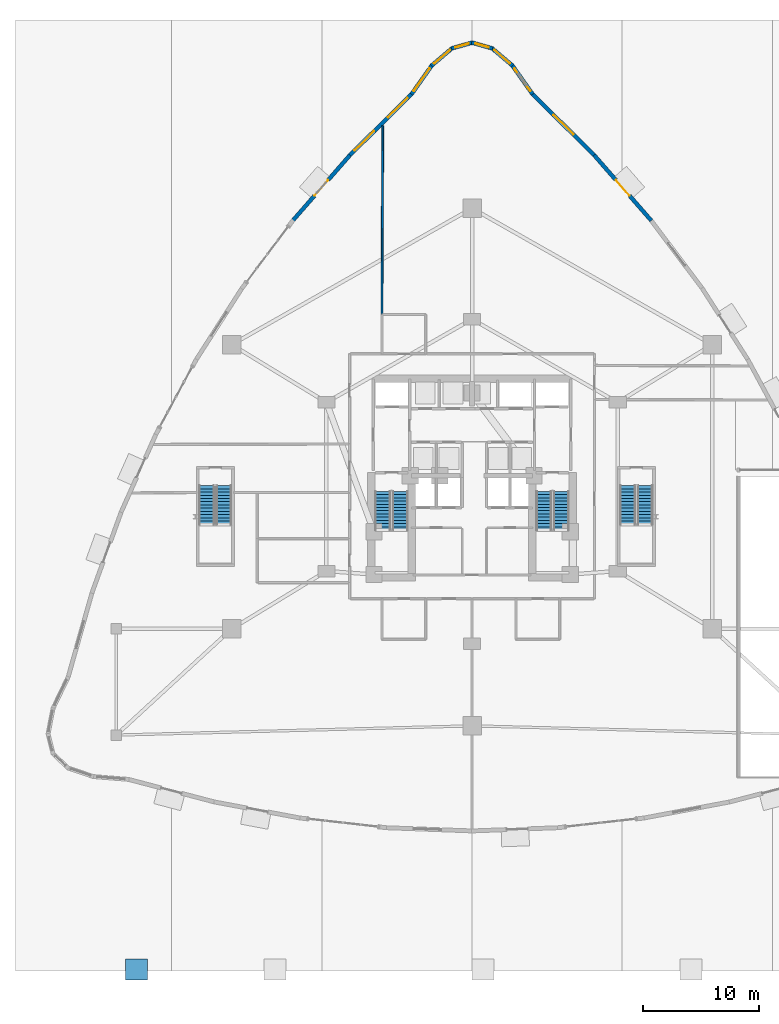
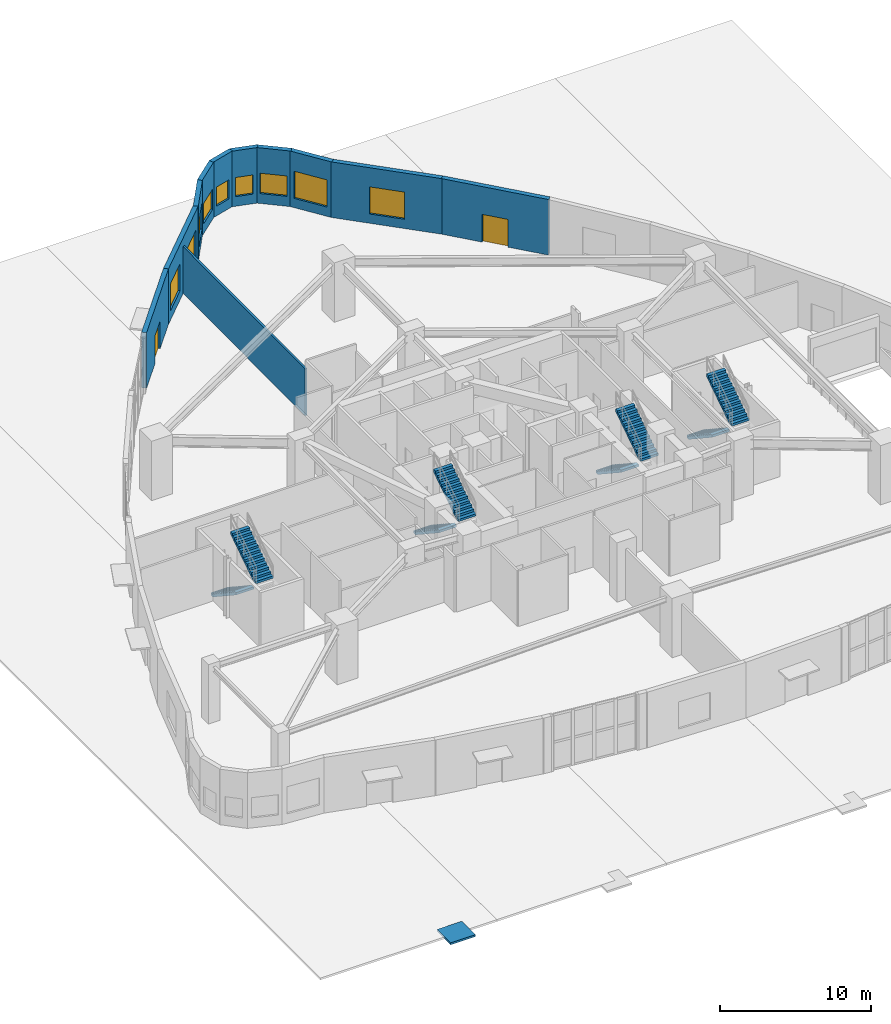
# One storey, part 26 of 32: 11 walls, 9 windows, 8 stair flights, 2 doors, 1 ramp flight, 11 openings, 5 elements without a shape of their own.
"""IFC4 building model written with IfcOpenShell, lengths in metres."""

from ifc_helpers import new_model, si_unit, direction, frame, frame_2d, origin, place, context, subcontext, project, spatial, polyline, rectangle, outline, extrude, material, layer, layer_set, type_object, element, fill, aggregate, save


model = new_model("IFC4")

# Units and contexts
model_context = context("Model", 3, precision=1e-05, world=origin(), true_north=direction((0.0, 1.0)))
body_context = subcontext(model_context, "Body", "Model", "MODEL_VIEW")
ifc_project = project(units=[si_unit("LENGTHUNIT", "METRE"), si_unit("AREAUNIT", "SQUARE_METRE"), si_unit("VOLUMEUNIT", "CUBIC_METRE"), si_unit("PLANEANGLEUNIT", "RADIAN"), si_unit("MASSUNIT", "GRAM", prefix="KILO")], contexts=[model_context])

# Site, building, storey
site_placement = place(None, origin())
site = spatial("IfcSite", under=ifc_project, at=site_placement, CompositionType="ELEMENT")
building_placement = place(site_placement, origin())
building = spatial("IfcBuilding", under=site, at=building_placement, Name="Miruveldt Soraemaru", CompositionType="ELEMENT")
storey_placement = place(building_placement, origin())
storey = spatial("IfcBuildingStorey", under=building, at=storey_placement, Name="L01", CompositionType="ELEMENT", Elevation=0.0)

# Wall, opening, window
ifc_material_1 = material(Name="Precast concrete C45/55 (45 MPa)", Category="concrete")
ifc_layer_1 = layer(ifc_material_1, 0.340087890625, Name="Precast concrete C45/55 (45 MPa)", Category="concrete")
ifc_layer_set_1 = layer_set([ifc_layer_1], Name="Precast concrete C45/55 (45 MPa)")
wall_type_1 = type_object("IfcWallType", Name="WALL-EXT-PC340", PredefinedType="SOLIDWALL", material=ifc_layer_set_1)
wall_1_placement = place(storey_placement, frame((49.244140625, 77.076416015625, 0.0), z_axis=(0.0, 0.0, 1.0), x_axis=(-0.577273101635, 0.816551141159, 0.0)))
wall_1 = element("IfcWall", 1, at=wall_1_placement, inside=storey, type_object=wall_type_1, Name="L01 Precast Concrete Facade Wall 1", PredefinedType="SOLIDWALL", context=body_context, shape_type="SweptSolid", body=[
    extrude(rectangle(XDim=3.08642578125, YDim=0.340087890625, at=frame_2d((1.543212890625, 0.0))), origin(), (0.0, 0.0, 1.0), 4.5),
])
opening_1_placement = place(wall_1_placement, frame((0.343017578125, 0.0, 0.75)))
opening_1 = element("IfcOpeningElement", 2, at=opening_1_placement, cuts=wall_1, Name="Opening WN-5", PredefinedType="OPENING", context=body_context, shape_type="SweptSolid", body=[
    extrude(rectangle(XDim=2.39990234375, YDim=2.199951171875, at=frame_2d((1.199951171875, 1.10009765625))), frame((0.0, 0.18017578125, 0.0), z_axis=(0.0, -1.0, 0.0), x_axis=(1.0, 0.0, 0.0)), (0.0, 0.0, 1.0), 0.360107421875),
])
ifc_material_2 = material(Name="Triple low-e insulated glazing", Category="glass")
window_type_1 = type_object("IfcWindowType", Name="WIN-PODM-2400x2200", PartitioningType="SINGLE_PANEL", PredefinedType="WINDOW", material=ifc_material_2)
window_1_placement = place(opening_1_placement, origin())
window_1 = element("IfcWindow", 3, at=window_1_placement, inside=storey, type_object=window_type_1, Name="L01 Punched Triple-Glazed Window 01.1", OverallHeight=2.199951171875, OverallWidth=2.39990234375, PartitioningType="SINGLE_PANEL", PredefinedType="WINDOW", context=body_context, shape_type="SweptSolid", body=[
    extrude(rectangle(XDim=2.39990234375, YDim=2.199951171875, at=frame_2d((1.199951171875, 1.10009765625))), frame((0.0, 0.030029296875, 0.0), z_axis=(0.0, -1.0, 0.0), x_axis=(1.0, 0.0, 0.0)), (0.0, 0.0, 1.0), 0.06005859375),
])
fill(opening_1, window_1)

wall_2_placement = place(storey_placement, frame((47.50927734375, 79.54541015625, 0.0), z_axis=(0.0, 0.0, 1.0), x_axis=(-0.762417649303, 0.647085255612, 0.0)))
wall_2 = element("IfcWall", 4, at=wall_2_placement, inside=storey, type_object=wall_type_1, Name="L01 Precast Concrete Facade Wall 2", PredefinedType="SOLIDWALL", context=body_context, shape_type="SweptSolid", body=[
    extrude(rectangle(XDim=2.35400390625, YDim=0.340087890625, at=frame_2d((1.177001953125, 0.0))), origin(), (0.0, 0.0, 1.0), 4.5),
])
opening_2_placement = place(wall_2_placement, frame((0.277099609375, 0.0, 0.800048828125)))
opening_2 = element("IfcOpeningElement", 5, at=opening_2_placement, cuts=wall_2, Name="Opening WN-2", PredefinedType="OPENING", context=body_context, shape_type="SweptSolid", body=[
    extrude(rectangle(XDim=1.800048828125, YDim=1.64990234375, at=frame_2d((0.89990234375, 0.824951171875))), frame((0.0, 0.18017578125, 0.0), z_axis=(0.0, -1.0, 0.0), x_axis=(1.0, 0.0, 0.0)), (0.0, 0.0, 1.0), 0.360107421875),
])
window_type_2 = type_object("IfcWindowType", Name="WIN-PUNCH-1800x1650", PartitioningType="SINGLE_PANEL", PredefinedType="WINDOW", material=ifc_material_2)
window_2_placement = place(opening_2_placement, origin())
window_2 = element("IfcWindow", 6, at=window_2_placement, inside=storey, type_object=window_type_2, Name="L01 Punched Triple-Glazed Window 02.1", OverallHeight=1.64990234375, OverallWidth=1.800048828125, PartitioningType="SINGLE_PANEL", PredefinedType="WINDOW", context=body_context, shape_type="SweptSolid", body=[
    extrude(rectangle(XDim=1.800048828125, YDim=1.64990234375, at=frame_2d((0.89990234375, 0.824951171875))), frame((0.0, 0.030029296875, 0.0), z_axis=(0.0, -1.0, 0.0), x_axis=(1.0, 0.0, 0.0)), (0.0, 0.0, 1.0), 0.06005859375),
])
fill(opening_2, window_2)

wall_3_placement = place(storey_placement, frame((45.77490234375, 81.036376953125, 0.0), z_axis=(0.0, 0.0, 1.0), x_axis=(-0.962226592622, 0.27224985666, 0.0)))
wall_3 = element("IfcWall", 7, at=wall_3_placement, inside=storey, type_object=wall_type_1, Name="L01 Precast Concrete Facade Wall 3", PredefinedType="SOLIDWALL", context=body_context, shape_type="SweptSolid", body=[
    extrude(rectangle(XDim=1.879638671875, YDim=0.340087890625, at=frame_2d((0.93994140625, 0.0))), origin(), (0.0, 0.0, 1.0), 4.5),
])
opening_3_placement = place(wall_3_placement, frame((0.340087890625, 0.0, 0.780029296875)))
opening_3 = element("IfcOpeningElement", 8, at=opening_3_placement, cuts=wall_3, Name="Opening WN-4", PredefinedType="OPENING", context=body_context, shape_type="SweptSolid", body=[
    extrude(rectangle(XDim=1.199951171875, YDim=1.550048828125, at=frame_2d((0.60009765625, 0.77490234375))), frame((0.0, 0.18017578125, 0.0), z_axis=(0.0, -1.0, 0.0), x_axis=(1.0, 0.0, 0.0)), (0.0, 0.0, 1.0), 0.360107421875),
])
window_type_3 = type_object("IfcWindowType", Name="WIN-PUNCH-1200x1550", PartitioningType="SINGLE_PANEL", PredefinedType="WINDOW", material=ifc_material_2)
window_3_placement = place(opening_3_placement, origin())
window_3 = element("IfcWindow", 9, at=window_3_placement, inside=storey, type_object=window_type_3, Name="L01 Punched Triple-Glazed Window 03.1", OverallHeight=1.550048828125, OverallWidth=1.199951171875, PartitioningType="SINGLE_PANEL", PredefinedType="WINDOW", context=body_context, shape_type="SweptSolid", body=[
    extrude(rectangle(XDim=1.199951171875, YDim=1.550048828125, at=frame_2d((0.60009765625, 0.77490234375))), frame((0.0, 0.030029296875, 0.0), z_axis=(0.0, -1.0, 0.0), x_axis=(1.0, 0.0, 0.0)), (0.0, 0.0, 1.0), 0.06005859375),
])
fill(opening_3, window_3)

wall_4_placement = place(storey_placement, frame((44.03369140625, 81.548095703125, 0.0), z_axis=(0.0, 0.0, 1.0), x_axis=(-0.962226592622, -0.27224985666, 0.0)))
wall_4 = element("IfcWall", 10, at=wall_4_placement, inside=storey, type_object=wall_type_1, Name="L01 Precast Concrete Facade Wall 4", PredefinedType="SOLIDWALL", context=body_context, shape_type="SweptSolid", body=[
    extrude(rectangle(XDim=1.879638671875, YDim=0.340087890625, at=frame_2d((0.93994140625, 0.0))), origin(), (0.0, 0.0, 1.0), 4.5),
])
opening_4_placement = place(wall_4_placement, frame((0.340087890625, 0.0, 0.780029296875)))
opening_4 = element("IfcOpeningElement", 11, at=opening_4_placement, cuts=wall_4, Name="Opening WN-4", PredefinedType="OPENING", context=body_context, shape_type="SweptSolid", body=[
    extrude(rectangle(XDim=1.199951171875, YDim=1.550048828125, at=frame_2d((0.60009765625, 0.77490234375))), frame((0.0, 0.18017578125, 0.0), z_axis=(0.0, -1.0, 0.0), x_axis=(1.0, 0.0, 0.0)), (0.0, 0.0, 1.0), 0.360107421875),
])
window_4_placement = place(opening_4_placement, origin())
window_4 = element("IfcWindow", 12, at=window_4_placement, inside=storey, type_object=window_type_3, Name="L01 Punched Triple-Glazed Window 04.1", OverallHeight=1.550048828125, OverallWidth=1.199951171875, PartitioningType="SINGLE_PANEL", PredefinedType="WINDOW", context=body_context, shape_type="SweptSolid", body=[
    extrude(rectangle(XDim=1.199951171875, YDim=1.550048828125, at=frame_2d((0.60009765625, 0.77490234375))), frame((0.0, 0.030029296875, 0.0), z_axis=(0.0, -1.0, 0.0), x_axis=(1.0, 0.0, 0.0)), (0.0, 0.0, 1.0), 0.06005859375),
])
fill(opening_4, window_4)

wall_5_placement = place(storey_placement, frame((42.285400390625, 81.068603515625, 0.0), z_axis=(0.0, 0.0, 1.0), x_axis=(-0.762417649303, -0.647085255612, 0.0)))
wall_5 = element("IfcWall", 13, at=wall_5_placement, inside=storey, type_object=wall_type_1, Name="L01 Precast Concrete Facade Wall 5", PredefinedType="SOLIDWALL", context=body_context, shape_type="SweptSolid", body=[
    extrude(rectangle(XDim=2.35400390625, YDim=0.340087890625, at=frame_2d((1.177001953125, 0.0))), origin(), (0.0, 0.0, 1.0), 4.5),
])
opening_5_placement = place(wall_5_placement, frame((0.277099609375, 0.0, 0.800048828125)))
opening_5 = element("IfcOpeningElement", 14, at=opening_5_placement, cuts=wall_5, Name="Opening WN-2", PredefinedType="OPENING", context=body_context, shape_type="SweptSolid", body=[
    extrude(rectangle(XDim=1.800048828125, YDim=1.64990234375, at=frame_2d((0.89990234375, 0.824951171875))), frame((0.0, 0.18017578125, 0.0), z_axis=(0.0, -1.0, 0.0), x_axis=(1.0, 0.0, 0.0)), (0.0, 0.0, 1.0), 0.360107421875),
])
window_5_placement = place(opening_5_placement, origin())
window_5 = element("IfcWindow", 15, at=window_5_placement, inside=storey, type_object=window_type_2, Name="L01 Punched Triple-Glazed Window 05.1", OverallHeight=1.64990234375, OverallWidth=1.800048828125, PartitioningType="SINGLE_PANEL", PredefinedType="WINDOW", context=body_context, shape_type="SweptSolid", body=[
    extrude(rectangle(XDim=1.800048828125, YDim=1.64990234375, at=frame_2d((0.89990234375, 0.824951171875))), frame((0.0, 0.030029296875, 0.0), z_axis=(0.0, -1.0, 0.0), x_axis=(1.0, 0.0, 0.0)), (0.0, 0.0, 1.0), 0.06005859375),
])
fill(opening_5, window_5)

wall_6_placement = place(storey_placement, frame((40.53759765625, 79.5966796875, 0.0), z_axis=(0.0, 0.0, 1.0), x_axis=(-0.577273101635, -0.816551141159, 0.0)))
wall_6 = element("IfcWall", 16, at=wall_6_placement, inside=storey, type_object=wall_type_1, Name="L01 Precast Concrete Facade Wall 6", PredefinedType="SOLIDWALL", context=body_context, shape_type="SweptSolid", body=[
    extrude(rectangle(XDim=3.08642578125, YDim=0.340087890625, at=frame_2d((1.543212890625, 0.0))), origin(), (0.0, 0.0, 1.0), 4.5),
])
opening_6_placement = place(wall_6_placement, frame((0.343017578125, 0.0, 0.75)))
opening_6 = element("IfcOpeningElement", 17, at=opening_6_placement, cuts=wall_6, Name="Opening WN-5", PredefinedType="OPENING", context=body_context, shape_type="SweptSolid", body=[
    extrude(rectangle(XDim=2.39990234375, YDim=2.199951171875, at=frame_2d((1.199951171875, 1.10009765625))), frame((0.0, 0.18017578125, 0.0), z_axis=(0.0, -1.0, 0.0), x_axis=(1.0, 0.0, 0.0)), (0.0, 0.0, 1.0), 0.360107421875),
])
window_6_placement = place(opening_6_placement, origin())
window_6 = element("IfcWindow", 18, at=window_6_placement, inside=storey, type_object=window_type_1, Name="L01 Punched Triple-Glazed Window 06.1", OverallHeight=2.199951171875, OverallWidth=2.39990234375, PartitioningType="SINGLE_PANEL", PredefinedType="WINDOW", context=body_context, shape_type="SweptSolid", body=[
    extrude(rectangle(XDim=2.39990234375, YDim=2.199951171875, at=frame_2d((1.199951171875, 1.10009765625))), frame((0.0, 0.030029296875, 0.0), z_axis=(0.0, -1.0, 0.0), x_axis=(1.0, 0.0, 0.0)), (0.0, 0.0, 1.0), 0.06005859375),
])
fill(opening_6, window_6)

# Wall, openings, windows
wall_7_placement = place(storey_placement, frame((38.80078125, 77.129638671875, 0.0), z_axis=(0.0, 0.0, 1.0), x_axis=(-0.709690172366, -0.704513917, 0.0)))
wall_7 = element("IfcWall", 19, at=wall_7_placement, inside=storey, type_object=wall_type_1, Name="L01 Precast Concrete Facade Wall 7", PredefinedType="SOLIDWALL", context=body_context, shape_type="SweptSolid", body=[
    extrude(rectangle(XDim=7.640869140625, YDim=0.340087890625, at=frame_2d((3.8203125, 0.0))), origin(), (0.0, 0.0, 1.0), 4.5),
])
opening_7_placement = place(wall_7_placement, frame((0.552001953125, 0.0, 0.75)))
opening_7 = element("IfcOpeningElement", 20, at=opening_7_placement, cuts=wall_7, Name="Opening WN-5", PredefinedType="OPENING", context=body_context, shape_type="SweptSolid", body=[
    extrude(rectangle(XDim=2.39990234375, YDim=2.199951171875, at=frame_2d((1.199951171875, 1.10009765625))), frame((0.0, 0.18017578125, 0.0), z_axis=(0.0, -1.0, 0.0), x_axis=(1.0, 0.0, 0.0)), (0.0, 0.0, 1.0), 0.360107421875),
])
opening_8_placement = place(wall_7_placement, frame((4.612060546875, 0.0, 0.75)))
opening_8 = element("IfcOpeningElement", 21, at=opening_8_placement, cuts=wall_7, Name="Opening WN-5", PredefinedType="OPENING", context=body_context, shape_type="SweptSolid", body=[
    extrude(rectangle(XDim=2.39990234375, YDim=2.199951171875, at=frame_2d((1.199951171875, 1.10009765625))), frame((0.0, 0.18017578125, 0.0), z_axis=(0.0, -1.0, 0.0), x_axis=(1.0, 0.0, 0.0)), (0.0, 0.0, 1.0), 0.360107421875),
])
window_7_placement = place(opening_7_placement, origin())
window_7 = element("IfcWindow", 22, at=window_7_placement, inside=storey, type_object=window_type_1, Name="L01 Punched Triple-Glazed Window 07.1", OverallHeight=2.199951171875, OverallWidth=2.39990234375, PartitioningType="SINGLE_PANEL", PredefinedType="WINDOW", context=body_context, shape_type="SweptSolid", body=[
    extrude(rectangle(XDim=2.39990234375, YDim=2.199951171875, at=frame_2d((1.199951171875, 1.10009765625))), frame((0.0, 0.030029296875, 0.0), z_axis=(0.0, -1.0, 0.0), x_axis=(1.0, 0.0, 0.0)), (0.0, 0.0, 1.0), 0.06005859375),
])
fill(opening_7, window_7)
window_8_placement = place(opening_8_placement, origin())
window_8 = element("IfcWindow", 23, at=window_8_placement, inside=storey, type_object=window_type_1, Name="L01 Punched Triple-Glazed Window 07.2", OverallHeight=2.199951171875, OverallWidth=2.39990234375, PartitioningType="SINGLE_PANEL", PredefinedType="WINDOW", context=body_context, shape_type="SweptSolid", body=[
    extrude(rectangle(XDim=2.39990234375, YDim=2.199951171875, at=frame_2d((1.199951171875, 1.10009765625))), frame((0.0, 0.030029296875, 0.0), z_axis=(0.0, -1.0, 0.0), x_axis=(1.0, 0.0, 0.0)), (0.0, 0.0, 1.0), 0.06005859375),
])
fill(opening_8, window_8)

# Wall, opening, door
wall_8_placement = place(storey_placement, frame((33.426025390625, 71.7978515625, 0.0), z_axis=(0.0, 0.0, 1.0), x_axis=(-0.657686013661, -0.753292179327, 0.0)))
wall_8 = element("IfcWall", 24, at=wall_8_placement, inside=storey, type_object=wall_type_1, Name="L01 Precast Concrete Facade Wall 8", PredefinedType="SOLIDWALL", context=body_context, shape_type="SweptSolid", body=[
    extrude(rectangle(XDim=7.520263671875, YDim=0.340087890625, at=frame_2d((3.76025390625, 0.0))), origin(), (0.0, 0.0, 1.0), 4.5),
])
opening_9_placement = place(wall_8_placement, frame((2.860107421875, 0.0, 0.0)))
opening_9 = element("IfcOpeningElement", 25, at=opening_9_placement, cuts=wall_8, Name="Opening ED-1", PredefinedType="OPENING", context=body_context, shape_type="SweptSolid", body=[
    extrude(rectangle(XDim=1.800048828125, YDim=2.25, at=frame_2d((0.89990234375, 1.125))), frame((0.0, 0.18017578125, 0.0), z_axis=(0.0, -1.0, 0.0), x_axis=(1.0, 0.0, 0.0)), (0.0, 0.0, 1.0), 0.360107421875),
])
ifc_material_3 = material(Name="Anodised aluminium EN AW-6063 T6", Category="aluminium")
door_type = type_object("IfcDoorType", Name="DOOR-EXT-1800", OperationType="DOUBLE_DOOR_SINGLE_SWING", PredefinedType="DOOR", material=ifc_material_3)
door_1_placement = place(opening_9_placement, frame((1.800048828125, 0.0, 0.0), z_axis=(0.0, 0.0, 1.0), x_axis=(-1.0, 0.0, 0.0)))
door_1 = element("IfcDoor", 26, at=door_1_placement, inside=storey, type_object=door_type, Name="L01 Pedestrian Final Exit Discharge Door 8", OperationType="DOUBLE_DOOR_SINGLE_SWING", OverallHeight=2.25, OverallWidth=1.800048828125, PredefinedType="DOOR", context=body_context, shape_type="SweptSolid", body=[
    extrude(rectangle(XDim=1.800048828125, YDim=2.25, at=frame_2d((0.89990234375, 1.125))), frame((0.0, 0.02490234375, 0.0), z_axis=(0.0, -1.0, 0.0), x_axis=(1.0, 0.0, 0.0)), (0.0, 0.0, 1.0), 0.050048828125),
])
fill(opening_9, door_1)

wall_9_placement = place(storey_placement, frame((59.52001953125, 66.1328125, 0.0), z_axis=(0.0, 0.0, 1.0), x_axis=(-0.657686013661, 0.753292179327, 0.0)))
wall_9 = element("IfcWall", 27, at=wall_9_placement, inside=storey, type_object=wall_type_1, Name="L01 Precast Concrete Facade Wall 41", PredefinedType="SOLIDWALL", context=body_context, shape_type="SweptSolid", body=[
    extrude(rectangle(XDim=7.520263671875, YDim=0.340087890625, at=frame_2d((3.76025390625, 0.0))), origin(), (0.0, 0.0, 1.0), 4.5),
])
opening_10_placement = place(wall_9_placement, frame((2.860107421875, 0.0, 0.0)))
opening_10 = element("IfcOpeningElement", 28, at=opening_10_placement, cuts=wall_9, Name="Opening ED-1", PredefinedType="OPENING", context=body_context, shape_type="SweptSolid", body=[
    extrude(rectangle(XDim=1.800048828125, YDim=2.25, at=frame_2d((0.89990234375, 1.125))), frame((0.0, 0.18017578125, 0.0), z_axis=(0.0, -1.0, 0.0), x_axis=(1.0, 0.0, 0.0)), (0.0, 0.0, 1.0), 0.360107421875),
])
door_2_placement = place(opening_10_placement, frame((1.800048828125, 0.0, 0.0), z_axis=(0.0, 0.0, 1.0), x_axis=(-1.0, 0.0, 0.0)))
door_2 = element("IfcDoor", 29, at=door_2_placement, inside=storey, type_object=door_type, Name="L01 Pedestrian Final Exit Discharge Door 41", OperationType="DOUBLE_DOOR_SINGLE_SWING", OverallHeight=2.25, OverallWidth=1.800048828125, PredefinedType="DOOR", context=body_context, shape_type="SweptSolid", body=[
    extrude(rectangle(XDim=1.800048828125, YDim=2.25, at=frame_2d((0.89990234375, 1.125))), frame((0.0, 0.02490234375, 0.0), z_axis=(0.0, -1.0, 0.0), x_axis=(1.0, 0.0, 0.0)), (0.0, 0.0, 1.0), 0.050048828125),
])
fill(opening_10, door_2)

# Wall, opening, window
wall_10_placement = place(storey_placement, frame((54.621826171875, 71.74658203125, 0.0), z_axis=(0.0, 0.0, 1.0), x_axis=(-0.709690172366, 0.704513917, 0.0)))
wall_10 = element("IfcWall", 30, at=wall_10_placement, inside=storey, type_object=wall_type_1, Name="L01 Precast Concrete Facade Wall 42", PredefinedType="SOLIDWALL", context=body_context, shape_type="SweptSolid", body=[
    extrude(rectangle(XDim=7.640869140625, YDim=0.340087890625, at=frame_2d((3.8203125, 0.0))), origin(), (0.0, 0.0, 1.0), 4.5),
])
opening_11_placement = place(wall_10_placement, frame((2.6201171875, 0.0, 0.75)))
opening_11 = element("IfcOpeningElement", 31, at=opening_11_placement, cuts=wall_10, Name="Opening WN-5", PredefinedType="OPENING", context=body_context, shape_type="SweptSolid", body=[
    extrude(rectangle(XDim=2.39990234375, YDim=2.199951171875, at=frame_2d((1.199951171875, 1.10009765625))), frame((0.0, 0.18017578125, 0.0), z_axis=(0.0, -1.0, 0.0), x_axis=(1.0, 0.0, 0.0)), (0.0, 0.0, 1.0), 0.360107421875),
])
window_9_placement = place(opening_11_placement, origin())
window_9 = element("IfcWindow", 32, at=window_9_placement, inside=storey, type_object=window_type_1, Name="L01 Punched Triple-Glazed Window 42.1", OverallHeight=2.199951171875, OverallWidth=2.39990234375, PartitioningType="SINGLE_PANEL", PredefinedType="WINDOW", context=body_context, shape_type="SweptSolid", body=[
    extrude(rectangle(XDim=2.39990234375, YDim=2.199951171875, at=frame_2d((1.199951171875, 1.10009765625))), frame((0.0, 0.030029296875, 0.0), z_axis=(0.0, -1.0, 0.0), x_axis=(1.0, 0.0, 0.0)), (0.0, 0.0, 1.0), 0.06005859375),
])
fill(opening_11, window_9)

# Wall
ifc_material_4 = material(Name="Concrete C40/50 (40 MPa)", Category="concrete")
ifc_layer_2 = layer(ifc_material_4, 0.159912109375, Name="Concrete C40/50 (40 MPa)", Category="concrete")
ifc_layer_set_2 = layer_set([ifc_layer_2], Name="Concrete C40/50 (40 MPa)")
wall_type_2 = type_object("IfcWallType", Name="WALL-INT-RC160", PredefinedType="SOLIDWALL", material=ifc_layer_set_2)
wall_11_placement = place(storey_placement, frame((36.199951171875, 58.0, 0.0), z_axis=(0.0, 0.0, 1.0), x_axis=(0.004521329597, 0.999989778737, 0.0)))
element("IfcWall", 33, at=wall_11_placement, inside=storey, type_object=wall_type_2, Name="L01 Partition Wall 37", PredefinedType="SOLIDWALL", context=body_context, shape_type="SweptSolid", body=[
    extrude(rectangle(XDim=16.361328125, YDim=0.159912109375, at=frame_2d((8.1806640625, 0.0))), origin(), (0.0, 0.0, 1.0), 3.7880859375),
])

# Stair, stair flights
stair_type_1 = type_object("IfcStairType", Name="STAIR-DL-480", PredefinedType="HALF_TURN_STAIR", material=ifc_material_4)
stair_1_placement = place(storey_placement, origin())
stair_1 = element("IfcStair", 34, at=stair_1_placement, inside=storey, type_object=stair_type_1, Name="L01 Protected Exit Stair ST-1", PredefinedType="HALF_TURN_STAIR")
stair_flight_type_1 = type_object("IfcStairFlightType", Name="SFL-DL-480", PredefinedType="STRAIGHT", material=ifc_material_4)
stair_flight_1_placement = place(storey_placement, frame((36.27490234375, 42.699951171875, 0.0), z_axis=(0.0, 0.0, 1.0), x_axis=(0.0, -1.0, 0.0)))
stair_flight_1 = element("IfcStairFlight", 35, at=stair_flight_1_placement, type_object=stair_flight_type_1, Name="ST-1 flight 1", NumberOfRisers=13, NumberOfTreads=12, PredefinedType="STRAIGHT", RiserHeight=0.184615385, TreadLength=0.28, context=body_context, shape_type="SweptSolid", body=[
    extrude(outline(polyline([(0.0, 0.0), (0.0, 0.1845703125), (0.280029296875, 0.1845703125), (0.280029296875, 0.369140625), (0.56005859375, 0.369140625), (0.56005859375, 0.553955078125), (0.840087890625, 0.553955078125), (0.840087890625, 0.738525390625), (1.1201171875, 0.738525390625), (1.1201171875, 0.923095703125), (1.39990234375, 0.923095703125), (1.39990234375, 1.107666015625), (1.679931640625, 1.107666015625), (1.679931640625, 1.292236328125), (1.9599609375, 1.292236328125), (1.9599609375, 1.476806640625), (2.239990234375, 1.476806640625), (2.239990234375, 1.66162109375), (2.52001953125, 1.66162109375), (2.52001953125, 1.84619140625), (2.800048828125, 1.84619140625), (2.800048828125, 2.03076171875), (3.080078125, 2.03076171875), (3.080078125, 2.21533203125), (3.360107421875, 2.21533203125), (3.360107421875, 2.39990234375), (3.360107421875, 2.02392578125), (0.29052734375, 0.0), (0.0, 0.0)])), frame((0.0, 0.675048828125, 0.0), z_axis=(0.0, -1.0, 0.0), x_axis=(1.0, 0.0, 0.0)), (0.0, 0.0, 1.0), 1.35009765625),
])
stair_flight_2_placement = place(storey_placement, frame((37.77490234375, 39.340087890625, 2.39990234375), z_axis=(0.0, 0.0, 1.0), x_axis=(0.0, 1.0, 0.0)))
stair_flight_2 = element("IfcStairFlight", 36, at=stair_flight_2_placement, type_object=stair_flight_type_1, Name="ST-1 flight 2", NumberOfRisers=13, NumberOfTreads=12, PredefinedType="STRAIGHT", RiserHeight=0.184615385, TreadLength=0.28, context=body_context, shape_type="SweptSolid", body=[
    extrude(outline(polyline([(0.0, 0.0), (0.0, 0.1845703125), (0.280029296875, 0.1845703125), (0.280029296875, 0.369140625), (0.56005859375, 0.369140625), (0.56005859375, 0.553955078125), (0.840087890625, 0.553955078125), (0.840087890625, 0.738525390625), (1.1201171875, 0.738525390625), (1.1201171875, 0.923095703125), (1.39990234375, 0.923095703125), (1.39990234375, 1.107666015625), (1.679931640625, 1.107666015625), (1.679931640625, 1.292236328125), (1.9599609375, 1.292236328125), (1.9599609375, 1.476806640625), (2.239990234375, 1.476806640625), (2.239990234375, 1.66162109375), (2.52001953125, 1.66162109375), (2.52001953125, 1.84619140625), (2.800048828125, 1.84619140625), (2.800048828125, 2.03076171875), (3.080078125, 2.03076171875), (3.080078125, 2.21533203125), (3.360107421875, 2.21533203125), (3.360107421875, 2.39990234375), (3.360107421875, 2.02392578125), (0.29052734375, 0.0), (0.0, 0.0)])), frame((0.0, 0.675048828125, 0.0), z_axis=(0.0, -1.0, 0.0), x_axis=(1.0, 0.0, 0.0)), (0.0, 0.0, 1.0), 1.35009765625),
])
aggregate(stair_1, [stair_flight_1, stair_flight_2])

stair_2_placement = place(storey_placement, origin())
stair_2 = element("IfcStair", 37, at=stair_2_placement, inside=storey, type_object=stair_type_1, Name="L01 Protected Exit Stair ST-2", PredefinedType="HALF_TURN_STAIR")
stair_flight_3_placement = place(storey_placement, frame((50.22509765625, 42.699951171875, 0.0), z_axis=(0.0, 0.0, 1.0), x_axis=(0.0, -1.0, 0.0)))
stair_flight_3 = element("IfcStairFlight", 38, at=stair_flight_3_placement, type_object=stair_flight_type_1, Name="ST-2 flight 1", NumberOfRisers=13, NumberOfTreads=12, PredefinedType="STRAIGHT", RiserHeight=0.184615385, TreadLength=0.28, context=body_context, shape_type="SweptSolid", body=[
    extrude(outline(polyline([(0.0, 0.0), (0.0, 0.1845703125), (0.280029296875, 0.1845703125), (0.280029296875, 0.369140625), (0.56005859375, 0.369140625), (0.56005859375, 0.553955078125), (0.840087890625, 0.553955078125), (0.840087890625, 0.738525390625), (1.1201171875, 0.738525390625), (1.1201171875, 0.923095703125), (1.39990234375, 0.923095703125), (1.39990234375, 1.107666015625), (1.679931640625, 1.107666015625), (1.679931640625, 1.292236328125), (1.9599609375, 1.292236328125), (1.9599609375, 1.476806640625), (2.239990234375, 1.476806640625), (2.239990234375, 1.66162109375), (2.52001953125, 1.66162109375), (2.52001953125, 1.84619140625), (2.800048828125, 1.84619140625), (2.800048828125, 2.03076171875), (3.080078125, 2.03076171875), (3.080078125, 2.21533203125), (3.360107421875, 2.21533203125), (3.360107421875, 2.39990234375), (3.360107421875, 2.02392578125), (0.29052734375, 0.0), (0.0, 0.0)])), frame((0.0, 0.675048828125, 0.0), z_axis=(0.0, -1.0, 0.0), x_axis=(1.0, 0.0, 0.0)), (0.0, 0.0, 1.0), 1.35009765625),
])
stair_flight_4_placement = place(storey_placement, frame((51.72509765625, 39.340087890625, 2.39990234375), z_axis=(0.0, 0.0, 1.0), x_axis=(0.0, 1.0, 0.0)))
stair_flight_4 = element("IfcStairFlight", 39, at=stair_flight_4_placement, type_object=stair_flight_type_1, Name="ST-2 flight 2", NumberOfRisers=13, NumberOfTreads=12, PredefinedType="STRAIGHT", RiserHeight=0.184615385, TreadLength=0.28, context=body_context, shape_type="SweptSolid", body=[
    extrude(outline(polyline([(0.0, 0.0), (0.0, 0.1845703125), (0.280029296875, 0.1845703125), (0.280029296875, 0.369140625), (0.56005859375, 0.369140625), (0.56005859375, 0.553955078125), (0.840087890625, 0.553955078125), (0.840087890625, 0.738525390625), (1.1201171875, 0.738525390625), (1.1201171875, 0.923095703125), (1.39990234375, 0.923095703125), (1.39990234375, 1.107666015625), (1.679931640625, 1.107666015625), (1.679931640625, 1.292236328125), (1.9599609375, 1.292236328125), (1.9599609375, 1.476806640625), (2.239990234375, 1.476806640625), (2.239990234375, 1.66162109375), (2.52001953125, 1.66162109375), (2.52001953125, 1.84619140625), (2.800048828125, 1.84619140625), (2.800048828125, 2.03076171875), (3.080078125, 2.03076171875), (3.080078125, 2.21533203125), (3.360107421875, 2.21533203125), (3.360107421875, 2.39990234375), (3.360107421875, 2.02392578125), (0.29052734375, 0.0), (0.0, 0.0)])), frame((0.0, 0.675048828125, 0.0), z_axis=(0.0, -1.0, 0.0), x_axis=(1.0, 0.0, 0.0)), (0.0, 0.0, 1.0), 1.35009765625),
])
aggregate(stair_2, [stair_flight_3, stair_flight_4])

stair_3_placement = place(storey_placement, origin())
stair_3 = element("IfcStair", 40, at=stair_3_placement, inside=storey, type_object=stair_type_1, Name="L01 Podium Protected Exit Stair ST-3", PredefinedType="HALF_TURN_STAIR")
stair_flight_5_placement = place(storey_placement, frame((21.02490234375, 43.199951171875, 0.0), z_axis=(0.0, 0.0, 1.0), x_axis=(0.0, -1.0, 0.0)))
stair_flight_5 = element("IfcStairFlight", 41, at=stair_flight_5_placement, type_object=stair_flight_type_1, Name="ST-3 flight 1", NumberOfRisers=13, NumberOfTreads=12, PredefinedType="STRAIGHT", RiserHeight=0.184615385, TreadLength=0.28, context=body_context, shape_type="SweptSolid", body=[
    extrude(outline(polyline([(0.0, 0.0), (0.0, 0.1845703125), (0.280029296875, 0.1845703125), (0.280029296875, 0.369140625), (0.56005859375, 0.369140625), (0.56005859375, 0.553955078125), (0.840087890625, 0.553955078125), (0.840087890625, 0.738525390625), (1.1201171875, 0.738525390625), (1.1201171875, 0.923095703125), (1.39990234375, 0.923095703125), (1.39990234375, 1.107666015625), (1.679931640625, 1.107666015625), (1.679931640625, 1.292236328125), (1.9599609375, 1.292236328125), (1.9599609375, 1.476806640625), (2.239990234375, 1.476806640625), (2.239990234375, 1.66162109375), (2.52001953125, 1.66162109375), (2.52001953125, 1.84619140625), (2.800048828125, 1.84619140625), (2.800048828125, 2.03076171875), (3.080078125, 2.03076171875), (3.080078125, 2.21533203125), (3.360107421875, 2.21533203125), (3.360107421875, 2.39990234375), (3.360107421875, 2.02392578125), (0.29052734375, 0.0), (0.0, 0.0)])), frame((0.0, 0.675048828125, 0.0), z_axis=(0.0, -1.0, 0.0), x_axis=(1.0, 0.0, 0.0)), (0.0, 0.0, 1.0), 1.35009765625),
])
stair_flight_6_placement = place(storey_placement, frame((22.52490234375, 39.840087890625, 2.39990234375), z_axis=(0.0, 0.0, 1.0), x_axis=(0.0, 1.0, 0.0)))
stair_flight_6 = element("IfcStairFlight", 42, at=stair_flight_6_placement, type_object=stair_flight_type_1, Name="ST-3 flight 2", NumberOfRisers=13, NumberOfTreads=12, PredefinedType="STRAIGHT", RiserHeight=0.184615385, TreadLength=0.28, context=body_context, shape_type="SweptSolid", body=[
    extrude(outline(polyline([(0.0, 0.0), (0.0, 0.1845703125), (0.280029296875, 0.1845703125), (0.280029296875, 0.369140625), (0.56005859375, 0.369140625), (0.56005859375, 0.553955078125), (0.840087890625, 0.553955078125), (0.840087890625, 0.738525390625), (1.1201171875, 0.738525390625), (1.1201171875, 0.923095703125), (1.39990234375, 0.923095703125), (1.39990234375, 1.107666015625), (1.679931640625, 1.107666015625), (1.679931640625, 1.292236328125), (1.9599609375, 1.292236328125), (1.9599609375, 1.476806640625), (2.239990234375, 1.476806640625), (2.239990234375, 1.66162109375), (2.52001953125, 1.66162109375), (2.52001953125, 1.84619140625), (2.800048828125, 1.84619140625), (2.800048828125, 2.03076171875), (3.080078125, 2.03076171875), (3.080078125, 2.21533203125), (3.360107421875, 2.21533203125), (3.360107421875, 2.39990234375), (3.360107421875, 2.02392578125), (0.29052734375, 0.0), (0.0, 0.0)])), frame((0.0, 0.675048828125, 0.0), z_axis=(0.0, -1.0, 0.0), x_axis=(1.0, 0.0, 0.0)), (0.0, 0.0, 1.0), 1.35009765625),
])
aggregate(stair_3, [stair_flight_5, stair_flight_6])

ifc_material_5 = material(Name="Steel S355 (355 MPa)", Category="steel")
stair_type_2 = type_object("IfcStairType", Name="STAIR-FEAT-STR", PredefinedType="TWO_STRAIGHT_RUN_STAIR", material=ifc_material_5)
stair_4_placement = place(storey_placement, origin())
stair_4 = element("IfcStair", 43, at=stair_4_placement, inside=storey, type_object=stair_type_2, Name="L01 Podium Garden Feature Stair ST-4", PredefinedType="TWO_STRAIGHT_RUN_STAIR")
stair_flight_type_2 = type_object("IfcStairFlightType", Name="SFL-FEAT-STR", PredefinedType="STRAIGHT", material=ifc_material_5)
stair_flight_7_placement = place(storey_placement, frame((57.47509765625, 43.199951171875, 0.0), z_axis=(0.0, 0.0, 1.0), x_axis=(0.0, -1.0, 0.0)))
stair_flight_7 = element("IfcStairFlight", 44, at=stair_flight_7_placement, type_object=stair_flight_type_2, Name="ST-4 flight 1", NumberOfRisers=13, NumberOfTreads=12, PredefinedType="STRAIGHT", RiserHeight=0.184615385, TreadLength=0.28, context=body_context, shape_type="SweptSolid", body=[
    extrude(outline(polyline([(0.0, 0.0), (0.0, 0.1845703125), (0.280029296875, 0.1845703125), (0.280029296875, 0.369140625), (0.56005859375, 0.369140625), (0.56005859375, 0.553955078125), (0.840087890625, 0.553955078125), (0.840087890625, 0.738525390625), (1.1201171875, 0.738525390625), (1.1201171875, 0.923095703125), (1.39990234375, 0.923095703125), (1.39990234375, 1.107666015625), (1.679931640625, 1.107666015625), (1.679931640625, 1.292236328125), (1.9599609375, 1.292236328125), (1.9599609375, 1.476806640625), (2.239990234375, 1.476806640625), (2.239990234375, 1.66162109375), (2.52001953125, 1.66162109375), (2.52001953125, 1.84619140625), (2.800048828125, 1.84619140625), (2.800048828125, 2.03076171875), (3.080078125, 2.03076171875), (3.080078125, 2.21533203125), (3.360107421875, 2.21533203125), (3.360107421875, 2.39990234375), (3.360107421875, 2.02392578125), (0.29052734375, 0.0), (0.0, 0.0)])), frame((0.0, 0.675048828125, 0.0), z_axis=(0.0, -1.0, 0.0), x_axis=(1.0, 0.0, 0.0)), (0.0, 0.0, 1.0), 1.35009765625),
])
stair_flight_8_placement = place(storey_placement, frame((58.97509765625, 39.840087890625, 2.39990234375), z_axis=(0.0, 0.0, 1.0), x_axis=(0.0, 1.0, 0.0)))
stair_flight_8 = element("IfcStairFlight", 45, at=stair_flight_8_placement, type_object=stair_flight_type_2, Name="ST-4 flight 2", NumberOfRisers=13, NumberOfTreads=12, PredefinedType="STRAIGHT", RiserHeight=0.184615385, TreadLength=0.28, context=body_context, shape_type="SweptSolid", body=[
    extrude(outline(polyline([(0.0, 0.0), (0.0, 0.1845703125), (0.280029296875, 0.1845703125), (0.280029296875, 0.369140625), (0.56005859375, 0.369140625), (0.56005859375, 0.553955078125), (0.840087890625, 0.553955078125), (0.840087890625, 0.738525390625), (1.1201171875, 0.738525390625), (1.1201171875, 0.923095703125), (1.39990234375, 0.923095703125), (1.39990234375, 1.107666015625), (1.679931640625, 1.107666015625), (1.679931640625, 1.292236328125), (1.9599609375, 1.292236328125), (1.9599609375, 1.476806640625), (2.239990234375, 1.476806640625), (2.239990234375, 1.66162109375), (2.52001953125, 1.66162109375), (2.52001953125, 1.84619140625), (2.800048828125, 1.84619140625), (2.800048828125, 2.03076171875), (3.080078125, 2.03076171875), (3.080078125, 2.21533203125), (3.360107421875, 2.21533203125), (3.360107421875, 2.39990234375), (3.360107421875, 2.02392578125), (0.29052734375, 0.0), (0.0, 0.0)])), frame((0.0, 0.675048828125, 0.0), z_axis=(0.0, -1.0, 0.0), x_axis=(1.0, 0.0, 0.0)), (0.0, 0.0, 1.0), 1.35009765625),
])
aggregate(stair_4, [stair_flight_7, stair_flight_8])

# Ramp, ramp flight
ramp_type = type_object("IfcRampType", Name="RAMP-ACC-180", PredefinedType="HALF_TURN_RAMP", material=ifc_material_4)
ramp_placement = place(storey_placement, origin())
ramp = element("IfcRamp", 46, at=ramp_placement, inside=storey, type_object=ramp_type, Name="L01 Step-Free Entrance Ramp 1", PredefinedType="HALF_TURN_RAMP")
ifc_layer_3 = layer(ifc_material_4, 0.199951171875, Name="Concrete C40/50 (40 MPa)", Category="concrete")
ifc_layer_set_3 = layer_set([ifc_layer_3], Name="Concrete C40/50 (40 MPa)")
ramp_flight_type = type_object("IfcRampFlightType", Name="RFL-ACC-200", PredefinedType="STRAIGHT", material=ifc_layer_set_3)
ramp_flight_placement = place(storey_placement, frame((14.0, 1.300048828125, -0.00048828125), z_axis=(0.0, 0.0, 1.0), x_axis=(1.0, 0.0, 0.0)))
ramp_flight = element("IfcRampFlight", 47, at=ramp_flight_placement, type_object=ramp_flight_type, Name="L01 Step-Free Entrance Ramp Flight 1", PredefinedType="STRAIGHT", context=body_context, shape_type="SweptSolid", body=[
    extrude(outline(polyline([(0.0, 0.0), (0.0, -0.155029296875), (1.89990234375, -0.154541015625), (1.89990234375, 0.00048828125), (0.0, 0.0)])), frame((0.0, 0.89990234375, 0.0), z_axis=(0.0, -1.0, 0.0), x_axis=(1.0, 0.0, 0.0)), (0.0, 0.0, 1.0), 1.800048828125),
])
aggregate(ramp, [ramp_flight])

save(model, "model.ifc")
